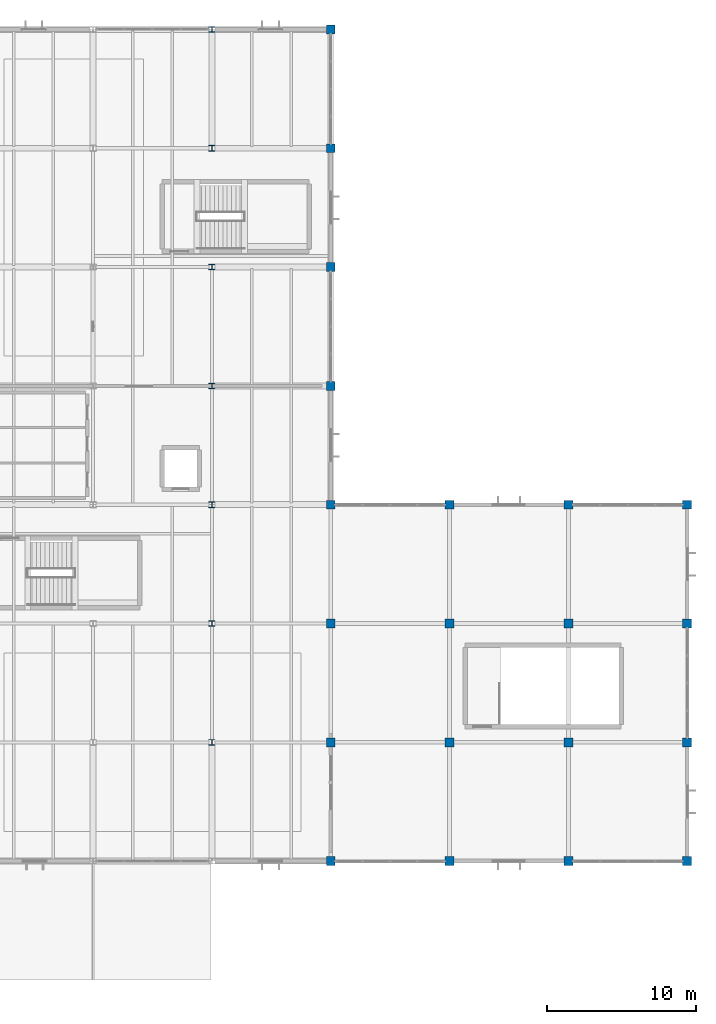
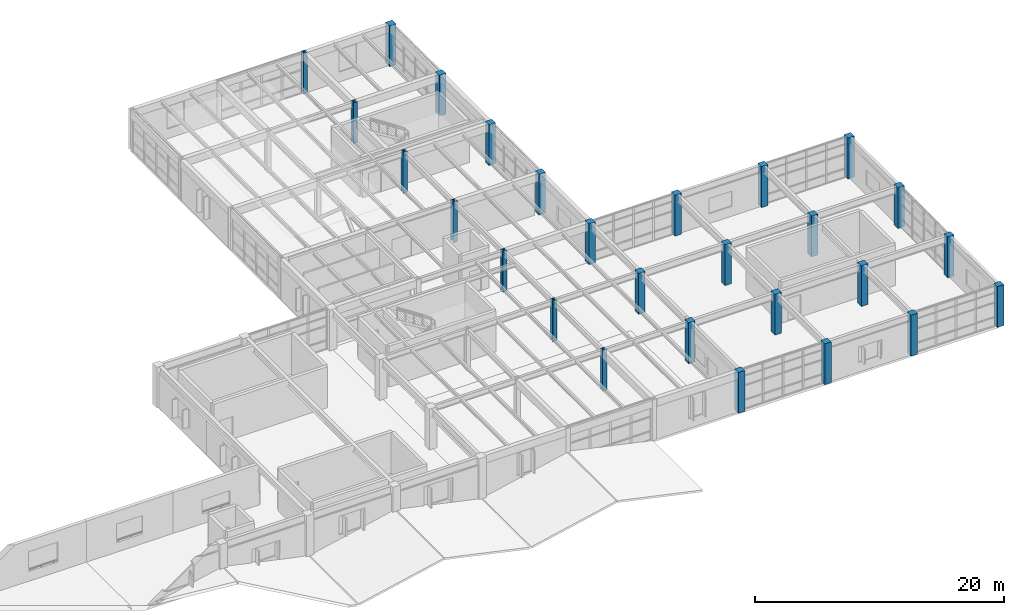
# One storey, part 6 of 48: 27 columns.
"""IFC4 building model written with IfcOpenShell, lengths in metres."""

from ifc_helpers import new_model, si_unit, direction, frame, origin, origin_2d, place, context, subcontext, project, spatial, rectangle, i_section, extrude, material, material_profile, profile_set, type_object, element, save


model = new_model("IFC4")

# Units and contexts
model_context = context("Model", 3, precision=1e-05, world=origin(), true_north=direction((0.0, 1.0)))
body_context = subcontext(model_context, "Body", "Model", "MODEL_VIEW")
ifc_project = project(units=[si_unit("LENGTHUNIT", "METRE"), si_unit("AREAUNIT", "SQUARE_METRE"), si_unit("VOLUMEUNIT", "CUBIC_METRE"), si_unit("PLANEANGLEUNIT", "RADIAN"), si_unit("MASSUNIT", "GRAM", prefix="KILO")], contexts=[model_context])

# Site, building, storey
site_placement = place(None, origin())
site = spatial("IfcSite", under=ifc_project, at=site_placement, CompositionType="ELEMENT")
building_placement = place(site_placement, origin())
building = spatial("IfcBuilding", under=site, at=building_placement, Name="Varnela Railside Interchange", CompositionType="ELEMENT")
storey_placement = place(building_placement, frame((0.0, 0.0, 11.199951171875)))
storey = spatial("IfcBuildingStorey", under=building, at=storey_placement, Name="L02", CompositionType="ELEMENT", Elevation=11.199951171875)

# Columns
ifc_material_1 = material(Name="Concrete C50", Category="concrete")
ifc_material_profile_1 = material_profile(ifc_material_1, rectangle(XDim=0.60009765625, YDim=0.60009765625, at=origin_2d()), Name="RC 600x600")
ifc_profile_set_1 = profile_set([ifc_material_profile_1], Name="Concrete C50")
column_type_1 = type_object("IfcColumnType", Name="Podium Mezzanine Column C-01", PredefinedType="COLUMN", material=ifc_profile_set_1)
for number, where, z_axis, x_axis, name in (
    (1, (140.0, 38.0, 0.0), (0.0, 0.0, 1.0), (1.0, 0.0, 0.0), "Column C-01 (L02) (CL-0739)"),
    (2, (140.0, 46.0, 0.0), (0.0, 0.0, 1.0), (1.0, 0.0, 0.0), "Column C-01 (L02) (CL-0740)"),
    (3, (140.0, 54.0, 0.0), (0.0, 0.0, 1.0), (1.0, 0.0, 0.0), "Column C-01 (L02) (CL-0741)"),
    (4, (140.0, 62.0, 0.0), (0.0, 0.0, 1.0), (1.0, 0.0, 0.0), "Column C-01 (L02) (CL-0742)"),
    (5, (140.0, 70.0, 0.0), (0.0, 0.0, 1.0), (1.0, 0.0, 0.0), "Column C-01 (L02) (CL-0743)"),
    (6, (140.0, 78.0, 0.0), (0.0, 0.0, 1.0), (1.0, 0.0, 0.0), "Column C-01 (L02) (CL-0744)"),
    (7, (140.0, 86.0, 0.0), (0.0, 0.0, 1.0), (1.0, 0.0, 0.0), "Column C-01 (L02) (CL-0745)"),
    (8, (140.0, 94.0, 0.0), (0.0, 0.0, 1.0), (1.0, 0.0, 0.0), "Column C-01 (L02) (CL-0746)"),
    (9, (148.0, 38.0, 0.0), (0.0, 0.0, 1.0), (1.0, 0.0, 0.0), "Column C-01 (L02) (CL-0747)"),
    (10, (148.0, 46.0, 0.0), (0.0, 0.0, 1.0), (1.0, 0.0, 0.0), "Column C-01 (L02) (CL-0748)"),
    (11, (148.0, 54.0, 0.0), (0.0, 0.0, 1.0), (1.0, 0.0, 0.0), "Column C-01 (L02) (CL-0749)"),
    (12, (148.0, 62.0, 0.0), (0.0, 0.0, 1.0), (1.0, 0.0, 0.0), "Column C-01 (L02) (CL-0750)"),
    (13, (156.0, 38.0, 0.0), (0.0, 0.0, 1.0), (1.0, 0.0, 0.0), "Column C-01 (L02) (CL-0759)"),
    (14, (156.0, 46.0, 0.0), (0.0, 0.0, 1.0), (1.0, 0.0, 0.0), "Column C-01 (L02) (CL-0760)"),
    (15, (156.0, 54.0, 0.0), (0.0, 0.0, 1.0), (1.0, 0.0, 0.0), "Column C-01 (L02) (CL-0761)"),
    (16, (156.0, 62.0, 0.0), (0.0, 0.0, 1.0), (1.0, 0.0, 0.0), "Column C-01 (L02) (CL-0762)"),
    (17, (164.0, 38.0, 0.0), (0.0, 0.0, 1.0), (1.0, 0.0, 0.0), "Column C-01 (L02) (CL-0763)"),
    (18, (164.0, 46.0, 0.0), (0.0, 0.0, 1.0), (1.0, 0.0, 0.0), "Column C-01 (L02) (CL-0764)"),
    (19, (164.0, 54.0, 0.0), (0.0, 0.0, 1.0), (1.0, 0.0, 0.0), "Column C-01 (L02) (CL-0765)"),
    (20, (164.0, 62.0, 0.0), (0.0, 0.0, 1.0), (1.0, 0.0, 0.0), "Column C-01 (L02) (CL-0766)"),
):
    element("IfcColumn", number, at=place(storey_placement, frame(where, z_axis=z_axis, x_axis=x_axis)), inside=storey, type_object=column_type_1, Name=name, PredefinedType="COLUMN", context=body_context, shape_type="SweptSolid", body=[
        extrude(rectangle(XDim=0.60009765625, YDim=0.60009765625, at=origin_2d()), origin(), (0.0, 0.0, 1.0), 4.0),
    ])
ifc_material_2 = material(Name="Steel AR 350 (350 MPa)", Category="steel")
ifc_material_profile_2 = material_profile(ifc_material_2, i_section(OverallWidth=0.39404296875, OverallDepth=0.375, WebThickness=0.017333984375, FlangeThickness=0.027587890625, at=origin_2d()), Name="W360x216")
ifc_profile_set_2 = profile_set([ifc_material_profile_2], Name="Steel AR 350 (350 MPa)")
column_type_2 = type_object("IfcColumnType", Name="Superstructure Steel Col C-17", PredefinedType="COLUMN", material=ifc_profile_set_2)
for number, where, z_axis, x_axis, name in (
    (21, (132.0, 46.0, 0.0), (0.0, 0.0, 1.0), (1.0, 0.0, 0.0), "Column C-17 (L02) (CL-0732)"),
    (22, (132.0, 54.0, 0.0), (0.0, 0.0, 1.0), (1.0, 0.0, 0.0), "Column C-17 (L02) (CL-0733)"),
    (23, (132.0, 62.0, 0.0), (0.0, 0.0, 1.0), (1.0, 0.0, 0.0), "Column C-17 (L02) (CL-0734)"),
    (24, (132.0, 70.0, 0.0), (0.0, 0.0, 1.0), (1.0, 0.0, 0.0), "Column C-17 (L02) (CL-0735)"),
    (25, (132.0, 78.0, 0.0), (0.0, 0.0, 1.0), (1.0, 0.0, 0.0), "Column C-17 (L02) (CL-0736)"),
    (26, (132.0, 86.0, 0.0), (0.0, 0.0, 1.0), (1.0, 0.0, 0.0), "Column C-17 (L02) (CL-0737)"),
    (27, (132.0, 94.0, 0.0), (0.0, 0.0, 1.0), (1.0, 0.0, 0.0), "Column C-17 (L02) (CL-0738)"),
):
    element("IfcColumn", number, at=place(storey_placement, frame(where, z_axis=z_axis, x_axis=x_axis)), inside=storey, type_object=column_type_2, Name=name, PredefinedType="COLUMN", context=body_context, shape_type="SweptSolid", body=[
        extrude(i_section(OverallWidth=0.39404296875, OverallDepth=0.375, WebThickness=0.017333984375, FlangeThickness=0.027587890625, at=origin_2d()), origin(), (0.0, 0.0, 1.0), 4.0),
    ])

save(model, "model.ifc")
